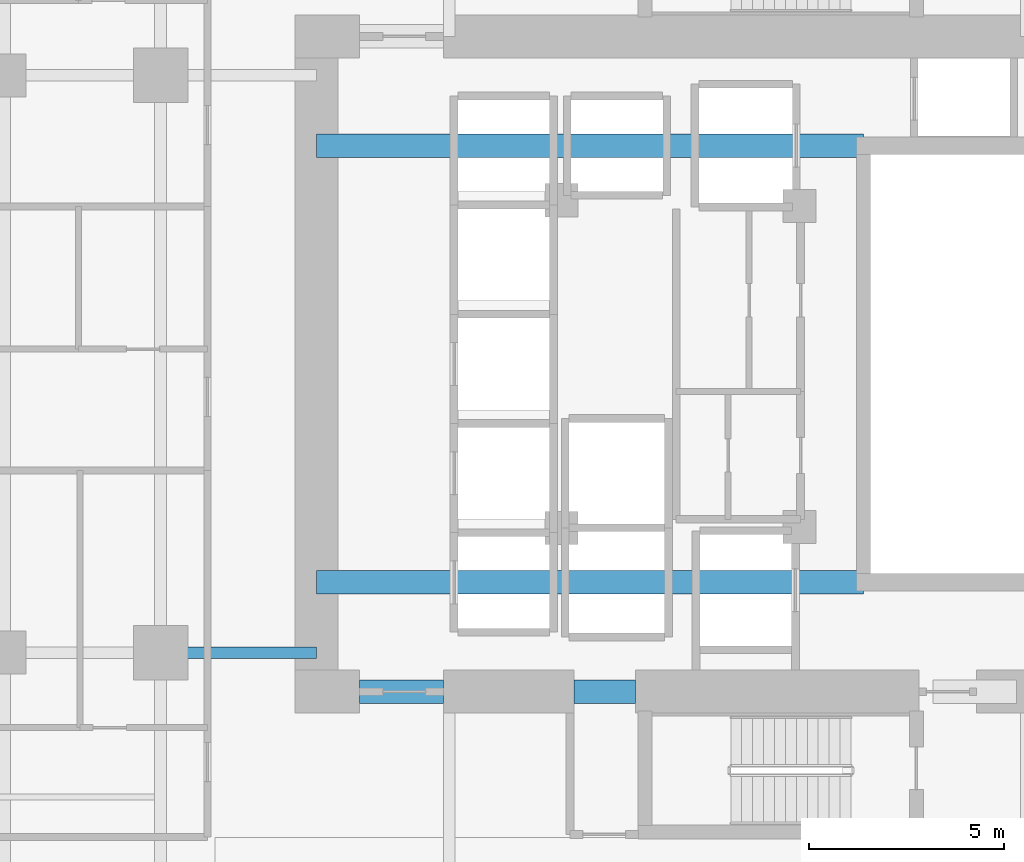
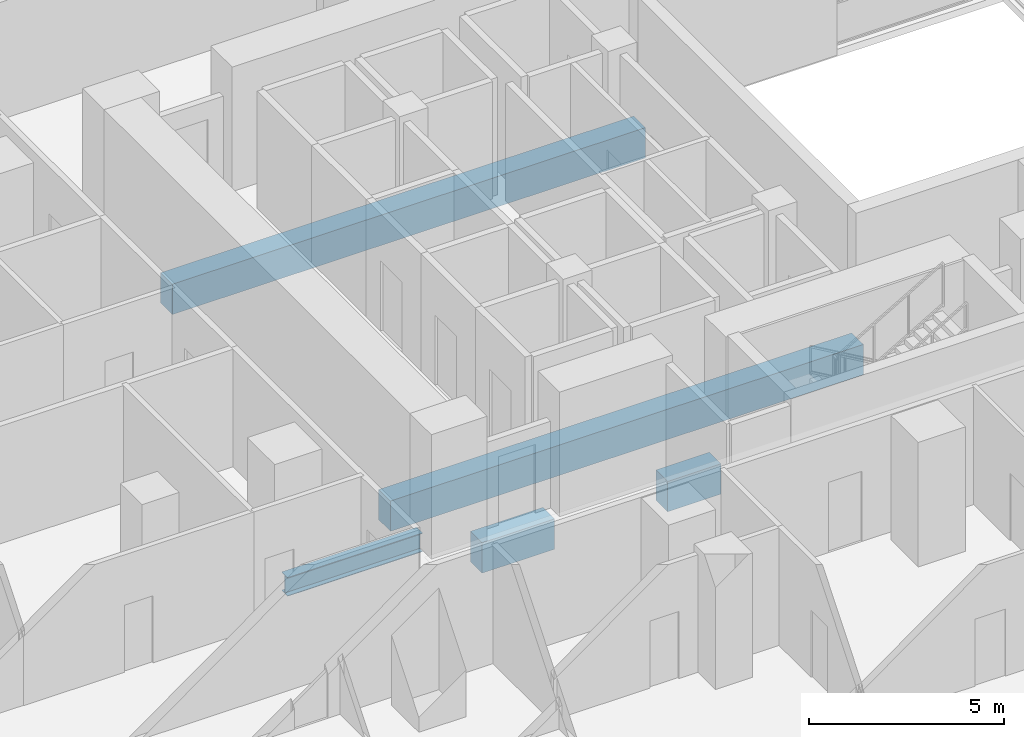
# One storey, part 7 of 30: 5 beams.
"""IFC4 building model written with IfcOpenShell, lengths in metres."""

from ifc_helpers import new_model, si_unit, direction, frame, origin, origin_2d, place, context, subcontext, project, spatial, rectangle, i_section, extrude, material, material_profile, profile_set, type_object, element, save


model = new_model("IFC4")

# Units and contexts
model_context = context("Model", 3, precision=1e-05, world=origin(), true_north=direction((0.0, 1.0)))
body_context = subcontext(model_context, "Body", "Model", "MODEL_VIEW")
ifc_project = project(units=[si_unit("LENGTHUNIT", "METRE"), si_unit("AREAUNIT", "SQUARE_METRE"), si_unit("VOLUMEUNIT", "CUBIC_METRE"), si_unit("PLANEANGLEUNIT", "RADIAN"), si_unit("MASSUNIT", "GRAM", prefix="KILO")], contexts=[model_context])

# Site, building, storey
site_placement = place(None, origin())
site = spatial("IfcSite", under=ifc_project, at=site_placement, CompositionType="ELEMENT")
building_placement = place(site_placement, origin())
building = spatial("IfcBuilding", under=site, at=building_placement, Name="Khorvyn Point Tower", CompositionType="ELEMENT")
storey_placement = place(building_placement, frame((0.0, 0.0, 57.89990234375)))
storey = spatial("IfcBuildingStorey", under=building, at=storey_placement, Name="L15", CompositionType="ELEMENT", Elevation=57.89990234375)

# Beams
ifc_material_1 = material(Name="Concrete C50/60", Category="concrete")
ifc_material_profile_1 = material_profile(ifc_material_1, rectangle(XDim=0.60009765625, YDim=0.949951171875, at=origin_2d()))
ifc_profile_set_1 = profile_set([ifc_material_profile_1], Name="Concrete C50/60 RC600x950")
beam_type_1 = type_object("IfcBeamType", Name="Concrete C50/60 Beam RC600x950", PredefinedType="BEAM", material=ifc_profile_set_1)
for number, where, z_axis, x_axis, name in (
    (1, (-10.800048828125, -5.60009765625, -0.69482421875), (1.0, 0.0, 0.0), (0.0, 1.0, 0.0), "L15 Core Internal Tie Girder S"),
    (2, (-10.800048828125, 5.60009765625, -0.69482421875), (1.0, 0.0, 0.0), (0.0, 1.0, 0.0), "L15 Core Internal Tie Girder N"),
):
    element("IfcBeam", number, at=place(storey_placement, frame(where, z_axis=z_axis, x_axis=x_axis)), inside=storey, type_object=beam_type_1, Name=name, PredefinedType="BEAM", context=body_context, shape_type="SweptSolid", body=[
        extrude(rectangle(XDim=0.60009765625, YDim=0.949951171875, at=origin_2d()), origin(), (0.0, 0.0, 1.0), 14.02001953125),
    ])
beam_1_placement = place(storey_placement, frame((-9.699951171875, -8.39990234375, -0.69482421875), z_axis=(1.0, 0.0, 0.0), x_axis=(0.0, 1.0, 0.0)))
element("IfcBeam", 3, at=beam_1_placement, inside=storey, type_object=beam_type_1, Name="L15 Core Southwest Portal Coupling Beam", PredefinedType="BEAM", context=body_context, shape_type="SweptSolid", body=[
    extrude(rectangle(XDim=0.60009765625, YDim=0.949951171875, at=origin_2d()), origin(), (0.0, 0.0, 1.0), 2.14990234375),
])
beam_2_placement = place(storey_placement, frame((-4.199951171875, -8.39990234375, -0.69482421875), z_axis=(1.0, 0.0, 0.0), x_axis=(0.0, 1.0, 0.0)))
element("IfcBeam", 4, at=beam_2_placement, inside=storey, type_object=beam_type_1, Name="L15 Core Shuttle Portal Coupling Beam", PredefinedType="BEAM", context=body_context, shape_type="SweptSolid", body=[
    extrude(rectangle(XDim=0.60009765625, YDim=0.949951171875, at=origin_2d()), origin(), (0.0, 0.0, 1.0), 1.579833984375),
])
ifc_material_2 = material(Name="Steel S355", Category="steel")
ifc_material_profile_2 = material_profile(ifc_material_2, i_section(OverallWidth=0.300048828125, OverallDepth=0.587890625, WebThickness=0.011962890625, FlangeThickness=0.02001953125, at=origin_2d()))
ifc_profile_set_2 = profile_set([ifc_material_profile_2], Name="Steel S355 H588x300x12x20")
beam_type_2 = type_object("IfcBeamType", Name="Steel S355 Beam H588x300x12x20", PredefinedType="BEAM", material=ifc_profile_set_2)
beam_3_placement = place(storey_placement, frame((-14.800048828125, -7.39990234375, -0.513916015625), z_axis=(1.0, 0.0, 0.0), x_axis=(0.0, 1.0, 0.0)))
element("IfcBeam", 5, at=beam_3_placement, inside=storey, type_object=beam_type_2, Name="Beam", PredefinedType="BEAM", context=body_context, shape_type="SweptSolid", body=[
    extrude(i_section(OverallWidth=0.300048828125, OverallDepth=0.587890625, WebThickness=0.011962890625, FlangeThickness=0.02001953125, at=origin_2d()), origin(), (0.0, 0.0, 1.0), 4.0),
])

save(model, "model.ifc")
